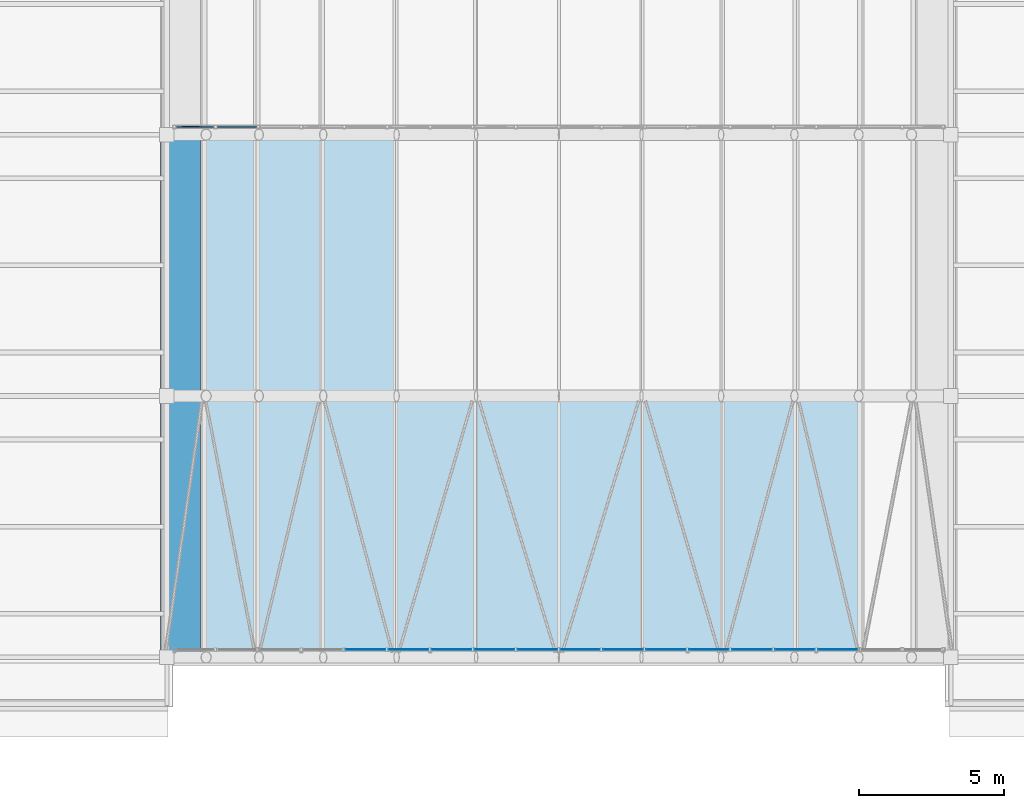
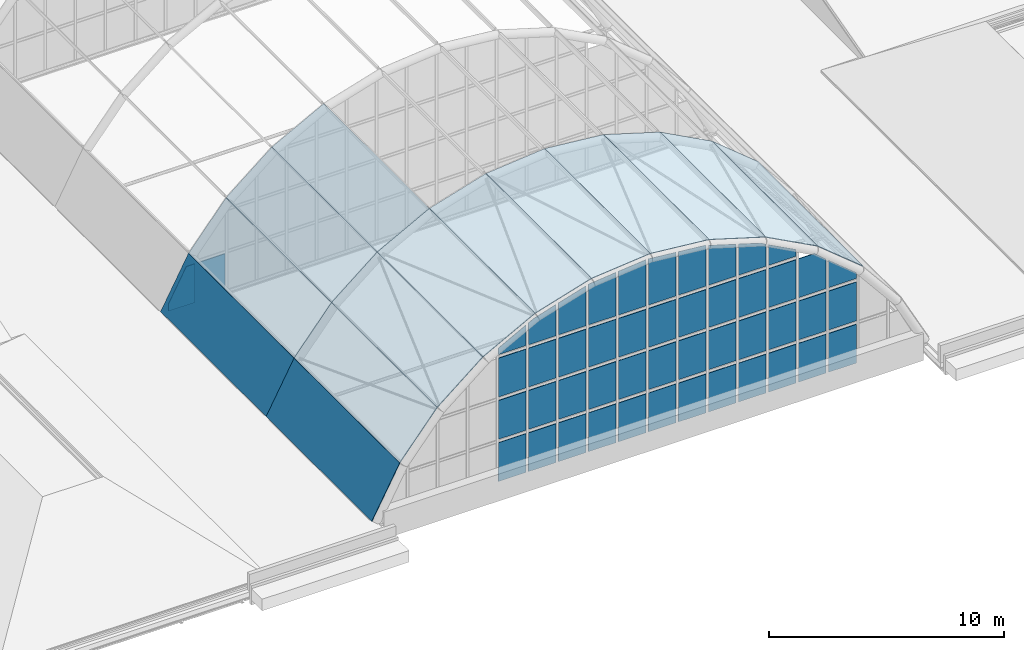
# One storey, part 75 of 121: 62 plates, 2 elements without a shape of their own.
"""IFC4 building model written with IfcOpenShell, lengths in metres."""

from ifc_helpers import new_model, si_unit, direction, frame, origin, place, context, subcontext, project, spatial, polyline, outline, extrude, material, layer, layer_set, type_object, element, aggregate, save


model = new_model("IFC4")

# Units and contexts
model_context = context("Model", 3, precision=1e-05, world=origin(), true_north=direction((0.0, 1.0)))
body_context = subcontext(model_context, "Body", "Model", "MODEL_VIEW")
ifc_project = project(units=[si_unit("LENGTHUNIT", "METRE"), si_unit("AREAUNIT", "SQUARE_METRE"), si_unit("VOLUMEUNIT", "CUBIC_METRE"), si_unit("PLANEANGLEUNIT", "RADIAN"), si_unit("MASSUNIT", "GRAM", prefix="KILO")], contexts=[model_context])

# Site, building, storey
site_placement = place(None, origin())
site = spatial("IfcSite", under=ifc_project, at=site_placement, CompositionType="ELEMENT")
building_placement = place(site_placement, origin())
building = spatial("IfcBuilding", under=site, at=building_placement, Name="Golden Quay Civic Hall", CompositionType="ELEMENT")
storey_placement = place(building_placement, frame((0.0, 0.0, 18.60009765625)))
storey = spatial("IfcBuildingStorey", under=building, at=storey_placement, Name="L04", CompositionType="ELEMENT", Elevation=18.60009765625)

# Curtain wall, plates
ifc_material_1 = material(Name="Fire-resisting glass and steel", Category="steel")
curtain_wall_type_1 = type_object("IfcCurtainWallType", Name="Fire-resisting glazed curtain wall EI 120", PredefinedType="NOTDEFINED", material=ifc_material_1)
curtain_wall_1_placement = place(storey_placement, origin())
curtain_wall_1 = element("IfcCurtainWall", 1, at=curtain_wall_1_placement, inside=storey, type_object=curtain_wall_type_1, Name="Curtain wall tympanum fire1", PredefinedType="NOTDEFINED")
ifc_material_2 = material(Name="Fire-resisting laminated glass", Category="glass")
ifc_layer_1 = layer(ifc_material_2, 0.0400390625)
ifc_layer_set_1 = layer_set([ifc_layer_1], Name="Fire-resisting glazed panel 40")
plate_type_1 = type_object("IfcPlateType", Name="Fire-resisting glazed panel 40", PredefinedType="CURTAIN_PANEL", material=ifc_layer_set_1)
plate_1_placement = place(storey_placement, frame((73.61767578125, 18.2900390625, -0.130126953125), z_axis=(0.0, 1.0, 0.0), x_axis=(-1.0, 0.0, 0.0)))
plate_1 = element("IfcPlate", 2, at=plate_1_placement, type_object=plate_type_1, Name="Tympanum glass 1.1", PredefinedType="CURTAIN_PANEL", context=body_context, shape_type="SweptSolid", body=[
    extrude(outline(polyline([(0.0, 0.0), (1.297607421875, 0.0), (1.297607421875, 0.37646484375), (0.4150390625, 2.02001953125), (0.0, 2.02001953125), (0.0, 0.0)])), origin(), (0.0, 0.0, -1.0), 0.0400390625),
])
plate_2_placement = place(storey_placement, frame((75.095458984375, 18.2900390625, -0.130126953125), z_axis=(0.0, 1.0, 0.0), x_axis=(-1.0, 0.0, 0.0)))
plate_2 = element("IfcPlate", 3, at=plate_2_placement, type_object=plate_type_1, Name="Tympanum glass 2.1", PredefinedType="CURTAIN_PANEL", context=body_context, shape_type="SweptSolid", body=[
    extrude(outline(polyline([(0.0, 0.0), (1.357666015625, 0.0), (1.357666015625, 2.02001953125), (0.0, 2.02001953125), (0.0, 0.0)])), origin(), (0.0, 0.0, -1.0), 0.0400390625),
])
aggregate(curtain_wall_1, [plate_1, plate_2])

ifc_material_3 = material(Name="Glass and aluminium", Category="aluminium")
curtain_wall_type_2 = type_object("IfcCurtainWallType", Name="Glazed curtain wall 1500 module", PredefinedType="NOTDEFINED", material=ifc_material_3)
curtain_wall_2_placement = place(storey_placement, origin())
curtain_wall_2 = element("IfcCurtainWall", 4, at=curtain_wall_2_placement, inside=storey, type_object=curtain_wall_type_2, Name="Curtain wall tympanum south", PredefinedType="NOTDEFINED")
ifc_material_4 = material(Name="Laminated glass", Category="glass")
ifc_layer_2 = layer(ifc_material_4, 0.028076171875)
ifc_layer_set_2 = layer_set([ifc_layer_2], Name="Laminated glass panel 28")
plate_type_2 = type_object("IfcPlateType", Name="Laminated glass panel 28", PredefinedType="CURTAIN_PANEL", material=ifc_layer_set_2)
plate_3_placement = place(storey_placement, frame((79.52880859375, 0.283935546875, -0.130126953125), z_axis=(0.0, 1.0, 0.0), x_axis=(-1.0, 0.0, 0.0)))
plate_3 = element("IfcPlate", 5, at=plate_3_placement, type_object=plate_type_2, Name="Tympanum glass 5.1", PredefinedType="CURTAIN_PANEL", context=body_context, shape_type="SweptSolid", body=[
    extrude(outline(polyline([(0.0, 0.0), (1.357666015625, 0.0), (1.357666015625, 2.02001953125), (0.0, 2.02001953125), (0.0, 0.0)])), origin(), (0.0, 0.0, -1.0), 0.028076171875),
])
plate_4_placement = place(storey_placement, frame((79.52880859375, 0.283935546875, 2.06982421875), z_axis=(0.0, 1.0, 0.0), x_axis=(-1.0, 0.0, 0.0)))
plate_4 = element("IfcPlate", 6, at=plate_4_placement, type_object=plate_type_2, Name="Tympanum glass 5.2", PredefinedType="CURTAIN_PANEL", context=body_context, shape_type="SweptSolid", body=[
    extrude(outline(polyline([(0.0, 0.0), (1.357666015625, 0.0), (1.357666015625, 2.02001953125), (0.0, 2.02001953125), (0.0, 0.0)])), origin(), (0.0, 0.0, -1.0), 0.028076171875),
])
plate_5_placement = place(storey_placement, frame((79.52880859375, 0.283935546875, 4.27001953125), z_axis=(0.0, 1.0, 0.0), x_axis=(-1.0, 0.0, 0.0)))
plate_5 = element("IfcPlate", 7, at=plate_5_placement, type_object=plate_type_2, Name="Tympanum glass 5.3", PredefinedType="CURTAIN_PANEL", context=body_context, shape_type="SweptSolid", body=[
    extrude(outline(polyline([(0.0, 0.0), (1.357666015625, 0.0), (1.357666015625, 2.019775390625), (0.0, 2.019775390625), (0.0, 0.0)])), origin(), (0.0, 0.0, -1.0), 0.028076171875),
])
plate_6_placement = place(storey_placement, frame((79.52880859375, 0.283935546875, 6.469970703125), z_axis=(0.0, 1.0, 0.0), x_axis=(-1.0, 0.0, 0.0)))
plate_6 = element("IfcPlate", 8, at=plate_6_placement, type_object=plate_type_2, Name="Tympanum glass 5.4", PredefinedType="CURTAIN_PANEL", context=body_context, shape_type="SweptSolid", body=[
    extrude(outline(polyline([(0.0, 0.0), (1.357666015625, 0.0), (1.357666015625, 0.34130859375), (0.0, 1.065673828125), (0.0, 0.0)])), origin(), (0.0, 0.0, -1.0), 0.028076171875),
])
plate_7_placement = place(storey_placement, frame((81.006591796875, 0.283935546875, -0.130126953125), z_axis=(0.0, 1.0, 0.0), x_axis=(-1.0, 0.0, 0.0)))
plate_7 = element("IfcPlate", 9, at=plate_7_placement, type_object=plate_type_2, Name="Tympanum glass 6.1", PredefinedType="CURTAIN_PANEL", context=body_context, shape_type="SweptSolid", body=[
    extrude(outline(polyline([(0.0, 0.0), (1.357666015625, 0.0), (1.357666015625, 2.02001953125), (0.0, 2.02001953125), (0.0, 0.0)])), origin(), (0.0, 0.0, -1.0), 0.028076171875),
])
plate_8_placement = place(storey_placement, frame((81.006591796875, 0.283935546875, 2.06982421875), z_axis=(0.0, 1.0, 0.0), x_axis=(-1.0, 0.0, 0.0)))
plate_8 = element("IfcPlate", 10, at=plate_8_placement, type_object=plate_type_2, Name="Tympanum glass 6.2", PredefinedType="CURTAIN_PANEL", context=body_context, shape_type="SweptSolid", body=[
    extrude(outline(polyline([(0.0, 0.0), (1.357666015625, 0.0), (1.357666015625, 2.02001953125), (0.0, 2.02001953125), (0.0, 0.0)])), origin(), (0.0, 0.0, -1.0), 0.028076171875),
])
plate_9_placement = place(storey_placement, frame((81.006591796875, 0.283935546875, 4.27001953125), z_axis=(0.0, 1.0, 0.0), x_axis=(-1.0, 0.0, 0.0)))
plate_9 = element("IfcPlate", 11, at=plate_9_placement, type_object=plate_type_2, Name="Tympanum glass 6.3", PredefinedType="CURTAIN_PANEL", context=body_context, shape_type="SweptSolid", body=[
    extrude(outline(polyline([(0.0, 0.0), (1.357666015625, 0.0), (1.357666015625, 2.019775390625), (0.0, 2.019775390625), (0.0, 0.0)])), origin(), (0.0, 0.0, -1.0), 0.028076171875),
])
plate_10_placement = place(storey_placement, frame((81.006591796875, 0.283935546875, 6.469970703125), z_axis=(0.0, 1.0, 0.0), x_axis=(-1.0, 0.0, 0.0)))
plate_10 = element("IfcPlate", 12, at=plate_10_placement, type_object=plate_type_2, Name="Tympanum glass 6.4", PredefinedType="CURTAIN_PANEL", context=body_context, shape_type="SweptSolid", body=[
    extrude(outline(polyline([(0.0, 0.0), (1.357666015625, 0.0), (1.357666015625, 1.129638671875), (1.093994140625, 1.270263671875), (0.0, 1.619384765625), (0.0, 0.0)])), origin(), (0.0, 0.0, -1.0), 0.028076171875),
])
plate_11_placement = place(storey_placement, frame((82.484375, 0.283935546875, -0.130126953125), z_axis=(0.0, 1.0, 0.0), x_axis=(-1.0, 0.0, 0.0)))
plate_11 = element("IfcPlate", 13, at=plate_11_placement, type_object=plate_type_2, Name="Tympanum glass 7.1", PredefinedType="CURTAIN_PANEL", context=body_context, shape_type="SweptSolid", body=[
    extrude(outline(polyline([(0.0, 0.0), (1.357666015625, 0.0), (1.357666015625, 2.02001953125), (0.0, 2.02001953125), (0.0, 0.0)])), origin(), (0.0, 0.0, -1.0), 0.028076171875),
])
plate_12_placement = place(storey_placement, frame((82.484375, 0.283935546875, 2.06982421875), z_axis=(0.0, 1.0, 0.0), x_axis=(-1.0, 0.0, 0.0)))
plate_12 = element("IfcPlate", 14, at=plate_12_placement, type_object=plate_type_2, Name="Tympanum glass 7.2", PredefinedType="CURTAIN_PANEL", context=body_context, shape_type="SweptSolid", body=[
    extrude(outline(polyline([(0.0, 0.0), (1.357666015625, 0.0), (1.357666015625, 2.02001953125), (0.0, 2.02001953125), (0.0, 0.0)])), origin(), (0.0, 0.0, -1.0), 0.028076171875),
])
plate_13_placement = place(storey_placement, frame((82.484375, 0.283935546875, 4.27001953125), z_axis=(0.0, 1.0, 0.0), x_axis=(-1.0, 0.0, 0.0)))
plate_13 = element("IfcPlate", 15, at=plate_13_placement, type_object=plate_type_2, Name="Tympanum glass 7.3", PredefinedType="CURTAIN_PANEL", context=body_context, shape_type="SweptSolid", body=[
    extrude(outline(polyline([(0.0, 0.0), (1.357666015625, 0.0), (1.357666015625, 2.019775390625), (0.0, 2.019775390625), (0.0, 0.0)])), origin(), (0.0, 0.0, -1.0), 0.028076171875),
])
plate_14_placement = place(storey_placement, frame((82.484375, 0.283935546875, 6.469970703125), z_axis=(0.0, 1.0, 0.0), x_axis=(-1.0, 0.0, 0.0)))
plate_14 = element("IfcPlate", 16, at=plate_14_placement, type_object=plate_type_2, Name="Tympanum glass 7.4", PredefinedType="CURTAIN_PANEL", context=body_context, shape_type="SweptSolid", body=[
    extrude(outline(polyline([(0.0, 0.0), (1.357666015625, 0.0), (1.357666015625, 1.65576171875), (0.0, 2.06689453125), (0.0, 0.0)])), origin(), (0.0, 0.0, -1.0), 0.028076171875),
])
plate_15_placement = place(storey_placement, frame((83.962158203125, 0.283935546875, -0.130126953125), z_axis=(0.0, 1.0, 0.0), x_axis=(-1.0, 0.0, 0.0)))
plate_15 = element("IfcPlate", 17, at=plate_15_placement, type_object=plate_type_2, Name="Tympanum glass 8.1", PredefinedType="CURTAIN_PANEL", context=body_context, shape_type="SweptSolid", body=[
    extrude(outline(polyline([(0.0, 0.0), (1.357666015625, 0.0), (1.357666015625, 2.02001953125), (0.0, 2.02001953125), (0.0, 0.0)])), origin(), (0.0, 0.0, -1.0), 0.028076171875),
])
plate_16_placement = place(storey_placement, frame((83.962158203125, 0.283935546875, 2.06982421875), z_axis=(0.0, 1.0, 0.0), x_axis=(-1.0, 0.0, 0.0)))
plate_16 = element("IfcPlate", 18, at=plate_16_placement, type_object=plate_type_2, Name="Tympanum glass 8.2", PredefinedType="CURTAIN_PANEL", context=body_context, shape_type="SweptSolid", body=[
    extrude(outline(polyline([(0.0, 0.0), (1.357666015625, 0.0), (1.357666015625, 2.02001953125), (0.0, 2.02001953125), (0.0, 0.0)])), origin(), (0.0, 0.0, -1.0), 0.028076171875),
])
plate_17_placement = place(storey_placement, frame((83.962158203125, 0.283935546875, 4.27001953125), z_axis=(0.0, 1.0, 0.0), x_axis=(-1.0, 0.0, 0.0)))
plate_17 = element("IfcPlate", 19, at=plate_17_placement, type_object=plate_type_2, Name="Tympanum glass 8.3", PredefinedType="CURTAIN_PANEL", context=body_context, shape_type="SweptSolid", body=[
    extrude(outline(polyline([(0.0, 0.0), (1.357666015625, 0.0), (1.357666015625, 2.019775390625), (0.0, 2.019775390625), (0.0, 0.0)])), origin(), (0.0, 0.0, -1.0), 0.028076171875),
])
plate_18_placement = place(storey_placement, frame((83.962158203125, 0.283935546875, 6.469970703125), z_axis=(0.0, 1.0, 0.0), x_axis=(-1.0, 0.0, 0.0)))
plate_18 = element("IfcPlate", 20, at=plate_18_placement, type_object=plate_type_2, Name="Tympanum glass 8.4", PredefinedType="CURTAIN_PANEL", context=body_context, shape_type="SweptSolid", body=[
    extrude(outline(polyline([(0.0, 0.0), (1.357666015625, 0.0), (1.357666015625, 2.103271484375), (1.310302734375, 2.11767578125), (0.0, 2.254638671875), (0.0, 0.0)])), origin(), (0.0, 0.0, -1.0), 0.028076171875),
])
plate_19_placement = place(storey_placement, frame((85.43994140625, 0.283935546875, -0.130126953125), z_axis=(0.0, 1.0, 0.0), x_axis=(-1.0, 0.0, 0.0)))
plate_19 = element("IfcPlate", 21, at=plate_19_placement, type_object=plate_type_2, Name="Tympanum glass 9.1", PredefinedType="CURTAIN_PANEL", context=body_context, shape_type="SweptSolid", body=[
    extrude(outline(polyline([(0.0, 0.0), (1.357666015625, 0.0), (1.357666015625, 2.02001953125), (0.0, 2.02001953125), (0.0, 0.0)])), origin(), (0.0, 0.0, -1.0), 0.028076171875),
])
plate_20_placement = place(storey_placement, frame((85.43994140625, 0.283935546875, 2.06982421875), z_axis=(0.0, 1.0, 0.0), x_axis=(-1.0, 0.0, 0.0)))
plate_20 = element("IfcPlate", 22, at=plate_20_placement, type_object=plate_type_2, Name="Tympanum glass 9.2", PredefinedType="CURTAIN_PANEL", context=body_context, shape_type="SweptSolid", body=[
    extrude(outline(polyline([(0.0, 0.0), (1.357666015625, 0.0), (1.357666015625, 2.02001953125), (0.0, 2.02001953125), (0.0, 0.0)])), origin(), (0.0, 0.0, -1.0), 0.028076171875),
])
plate_21_placement = place(storey_placement, frame((85.43994140625, 0.283935546875, 4.27001953125), z_axis=(0.0, 1.0, 0.0), x_axis=(-1.0, 0.0, 0.0)))
plate_21 = element("IfcPlate", 23, at=plate_21_placement, type_object=plate_type_2, Name="Tympanum glass 9.3", PredefinedType="CURTAIN_PANEL", context=body_context, shape_type="SweptSolid", body=[
    extrude(outline(polyline([(0.0, 0.0), (1.357666015625, 0.0), (1.357666015625, 2.019775390625), (0.0, 2.019775390625), (0.0, 0.0)])), origin(), (0.0, 0.0, -1.0), 0.028076171875),
])
plate_22_placement = place(storey_placement, frame((85.43994140625, 0.283935546875, 6.469970703125), z_axis=(0.0, 1.0, 0.0), x_axis=(-1.0, 0.0, 0.0)))
plate_22 = element("IfcPlate", 24, at=plate_22_placement, type_object=plate_type_2, Name="Tympanum glass 9.4", PredefinedType="CURTAIN_PANEL", context=body_context, shape_type="SweptSolid", body=[
    extrude(outline(polyline([(0.0, 0.0), (1.357666015625, 0.0), (1.357666015625, 2.266357421875), (0.0, 2.39990234375), (0.0, 0.0)])), origin(), (0.0, 0.0, -1.0), 0.028076171875),
])
plate_23_placement = place(storey_placement, frame((86.917724609375, 0.283935546875, -0.130126953125), z_axis=(0.0, 1.0, 0.0), x_axis=(-1.0, 0.0, 0.0)))
plate_23 = element("IfcPlate", 25, at=plate_23_placement, type_object=plate_type_2, Name="Tympanum glass 10.1", PredefinedType="CURTAIN_PANEL", context=body_context, shape_type="SweptSolid", body=[
    extrude(outline(polyline([(0.0, 0.0), (1.357666015625, 0.0), (1.357666015625, 2.02001953125), (0.0, 2.02001953125), (0.0, 0.0)])), origin(), (0.0, 0.0, -1.0), 0.028076171875),
])
plate_24_placement = place(storey_placement, frame((86.917724609375, 0.283935546875, 2.06982421875), z_axis=(0.0, 1.0, 0.0), x_axis=(-1.0, 0.0, 0.0)))
plate_24 = element("IfcPlate", 26, at=plate_24_placement, type_object=plate_type_2, Name="Tympanum glass 10.2", PredefinedType="CURTAIN_PANEL", context=body_context, shape_type="SweptSolid", body=[
    extrude(outline(polyline([(0.0, 0.0), (1.357666015625, 0.0), (1.357666015625, 2.02001953125), (0.0, 2.02001953125), (0.0, 0.0)])), origin(), (0.0, 0.0, -1.0), 0.028076171875),
])
plate_25_placement = place(storey_placement, frame((86.917724609375, 0.283935546875, 4.27001953125), z_axis=(0.0, 1.0, 0.0), x_axis=(-1.0, 0.0, 0.0)))
plate_25 = element("IfcPlate", 27, at=plate_25_placement, type_object=plate_type_2, Name="Tympanum glass 10.3", PredefinedType="CURTAIN_PANEL", context=body_context, shape_type="SweptSolid", body=[
    extrude(outline(polyline([(0.0, 0.0), (1.357666015625, 0.0), (1.357666015625, 2.019775390625), (0.0, 2.019775390625), (0.0, 0.0)])), origin(), (0.0, 0.0, -1.0), 0.028076171875),
])
plate_26_placement = place(storey_placement, frame((86.917724609375, 0.283935546875, 6.469970703125), z_axis=(0.0, 1.0, 0.0), x_axis=(-1.0, 0.0, 0.0)))
plate_26 = element("IfcPlate", 28, at=plate_26_placement, type_object=plate_type_2, Name="Tympanum glass 10.4", PredefinedType="CURTAIN_PANEL", context=body_context, shape_type="SweptSolid", body=[
    extrude(outline(polyline([(0.0, 0.0), (1.357666015625, 0.0), (1.357666015625, 2.39990234375), (0.0, 2.266357421875), (0.0, 0.0)])), origin(), (0.0, 0.0, -1.0), 0.028076171875),
])
plate_27_placement = place(storey_placement, frame((88.3955078125, 0.283935546875, -0.130126953125), z_axis=(0.0, 1.0, 0.0), x_axis=(-1.0, 0.0, 0.0)))
plate_27 = element("IfcPlate", 29, at=plate_27_placement, type_object=plate_type_2, Name="Tympanum glass 11.1", PredefinedType="CURTAIN_PANEL", context=body_context, shape_type="SweptSolid", body=[
    extrude(outline(polyline([(0.0, 0.0), (1.357666015625, 0.0), (1.357666015625, 2.02001953125), (0.0, 2.02001953125), (0.0, 0.0)])), origin(), (0.0, 0.0, -1.0), 0.028076171875),
])
plate_28_placement = place(storey_placement, frame((88.3955078125, 0.283935546875, 2.06982421875), z_axis=(0.0, 1.0, 0.0), x_axis=(-1.0, 0.0, 0.0)))
plate_28 = element("IfcPlate", 30, at=plate_28_placement, type_object=plate_type_2, Name="Tympanum glass 11.2", PredefinedType="CURTAIN_PANEL", context=body_context, shape_type="SweptSolid", body=[
    extrude(outline(polyline([(0.0, 0.0), (1.357666015625, 0.0), (1.357666015625, 2.02001953125), (0.0, 2.02001953125), (0.0, 0.0)])), origin(), (0.0, 0.0, -1.0), 0.028076171875),
])
plate_29_placement = place(storey_placement, frame((88.3955078125, 0.283935546875, 4.27001953125), z_axis=(0.0, 1.0, 0.0), x_axis=(-1.0, 0.0, 0.0)))
plate_29 = element("IfcPlate", 31, at=plate_29_placement, type_object=plate_type_2, Name="Tympanum glass 11.3", PredefinedType="CURTAIN_PANEL", context=body_context, shape_type="SweptSolid", body=[
    extrude(outline(polyline([(0.0, 0.0), (1.357666015625, 0.0), (1.357666015625, 2.019775390625), (0.0, 2.019775390625), (0.0, 0.0)])), origin(), (0.0, 0.0, -1.0), 0.028076171875),
])
plate_30_placement = place(storey_placement, frame((88.3955078125, 0.283935546875, 6.469970703125), z_axis=(0.0, 1.0, 0.0), x_axis=(-1.0, 0.0, 0.0)))
plate_30 = element("IfcPlate", 32, at=plate_30_placement, type_object=plate_type_2, Name="Tympanum glass 11.4", PredefinedType="CURTAIN_PANEL", context=body_context, shape_type="SweptSolid", body=[
    extrude(outline(polyline([(0.0, 0.0), (1.357666015625, 0.0), (1.357666015625, 2.254638671875), (0.04736328125, 2.125732421875), (0.0, 2.103271484375), (0.0, 0.0)])), origin(), (0.0, 0.0, -1.0), 0.028076171875),
])
plate_31_placement = place(storey_placement, frame((89.873291015625, 0.283935546875, -0.130126953125), z_axis=(0.0, 1.0, 0.0), x_axis=(-1.0, 0.0, 0.0)))
plate_31 = element("IfcPlate", 33, at=plate_31_placement, type_object=plate_type_2, Name="Tympanum glass 12.1", PredefinedType="CURTAIN_PANEL", context=body_context, shape_type="SweptSolid", body=[
    extrude(outline(polyline([(0.0, 0.0), (1.357666015625, 0.0), (1.357666015625, 2.02001953125), (0.0, 2.02001953125), (0.0, 0.0)])), origin(), (0.0, 0.0, -1.0), 0.028076171875),
])
plate_32_placement = place(storey_placement, frame((89.873291015625, 0.283935546875, 2.06982421875), z_axis=(0.0, 1.0, 0.0), x_axis=(-1.0, 0.0, 0.0)))
plate_32 = element("IfcPlate", 34, at=plate_32_placement, type_object=plate_type_2, Name="Tympanum glass 12.2", PredefinedType="CURTAIN_PANEL", context=body_context, shape_type="SweptSolid", body=[
    extrude(outline(polyline([(0.0, 0.0), (1.357666015625, 0.0), (1.357666015625, 2.02001953125), (0.0, 2.02001953125), (0.0, 0.0)])), origin(), (0.0, 0.0, -1.0), 0.028076171875),
])
plate_33_placement = place(storey_placement, frame((89.873291015625, 0.283935546875, 4.27001953125), z_axis=(0.0, 1.0, 0.0), x_axis=(-1.0, 0.0, 0.0)))
plate_33 = element("IfcPlate", 35, at=plate_33_placement, type_object=plate_type_2, Name="Tympanum glass 12.3", PredefinedType="CURTAIN_PANEL", context=body_context, shape_type="SweptSolid", body=[
    extrude(outline(polyline([(0.0, 0.0), (1.357666015625, 0.0), (1.357666015625, 2.019775390625), (0.0, 2.019775390625), (0.0, 0.0)])), origin(), (0.0, 0.0, -1.0), 0.028076171875),
])
plate_34_placement = place(storey_placement, frame((89.873291015625, 0.283935546875, 6.469970703125), z_axis=(0.0, 1.0, 0.0), x_axis=(-1.0, 0.0, 0.0)))
plate_34 = element("IfcPlate", 36, at=plate_34_placement, type_object=plate_type_2, Name="Tympanum glass 12.4", PredefinedType="CURTAIN_PANEL", context=body_context, shape_type="SweptSolid", body=[
    extrude(outline(polyline([(0.0, 0.0), (1.357666015625, 0.0), (1.357666015625, 2.06689453125), (0.0, 1.65576171875), (0.0, 0.0)])), origin(), (0.0, 0.0, -1.0), 0.028076171875),
])
plate_35_placement = place(storey_placement, frame((91.35107421875, 0.283935546875, -0.130126953125), z_axis=(0.0, 1.0, 0.0), x_axis=(-1.0, 0.0, 0.0)))
plate_35 = element("IfcPlate", 37, at=plate_35_placement, type_object=plate_type_2, Name="Tympanum glass 13.1", PredefinedType="CURTAIN_PANEL", context=body_context, shape_type="SweptSolid", body=[
    extrude(outline(polyline([(0.0, 0.0), (1.357666015625, 0.0), (1.357666015625, 2.02001953125), (0.0, 2.02001953125), (0.0, 0.0)])), origin(), (0.0, 0.0, -1.0), 0.028076171875),
])
plate_36_placement = place(storey_placement, frame((91.35107421875, 0.283935546875, 2.06982421875), z_axis=(0.0, 1.0, 0.0), x_axis=(-1.0, 0.0, 0.0)))
plate_36 = element("IfcPlate", 38, at=plate_36_placement, type_object=plate_type_2, Name="Tympanum glass 13.2", PredefinedType="CURTAIN_PANEL", context=body_context, shape_type="SweptSolid", body=[
    extrude(outline(polyline([(0.0, 0.0), (1.357666015625, 0.0), (1.357666015625, 2.02001953125), (0.0, 2.02001953125), (0.0, 0.0)])), origin(), (0.0, 0.0, -1.0), 0.028076171875),
])
plate_37_placement = place(storey_placement, frame((91.35107421875, 0.283935546875, 4.27001953125), z_axis=(0.0, 1.0, 0.0), x_axis=(-1.0, 0.0, 0.0)))
plate_37 = element("IfcPlate", 39, at=plate_37_placement, type_object=plate_type_2, Name="Tympanum glass 13.3", PredefinedType="CURTAIN_PANEL", context=body_context, shape_type="SweptSolid", body=[
    extrude(outline(polyline([(0.0, 0.0), (1.357666015625, 0.0), (1.357666015625, 2.019775390625), (0.0, 2.019775390625), (0.0, 0.0)])), origin(), (0.0, 0.0, -1.0), 0.028076171875),
])
plate_38_placement = place(storey_placement, frame((91.35107421875, 0.283935546875, 6.469970703125), z_axis=(0.0, 1.0, 0.0), x_axis=(-1.0, 0.0, 0.0)))
plate_38 = element("IfcPlate", 40, at=plate_38_placement, type_object=plate_type_2, Name="Tympanum glass 13.4", PredefinedType="CURTAIN_PANEL", context=body_context, shape_type="SweptSolid", body=[
    extrude(outline(polyline([(0.0, 0.0), (1.357666015625, 0.0), (1.357666015625, 1.619384765625), (0.263671875, 1.288330078125), (0.0, 1.129638671875), (0.0, 0.0)])), origin(), (0.0, 0.0, -1.0), 0.028076171875),
])
plate_39_placement = place(storey_placement, frame((92.828857421875, 0.283935546875, -0.130126953125), z_axis=(0.0, 1.0, 0.0), x_axis=(-1.0, 0.0, 0.0)))
plate_39 = element("IfcPlate", 41, at=plate_39_placement, type_object=plate_type_2, Name="Tympanum glass 14.1", PredefinedType="CURTAIN_PANEL", context=body_context, shape_type="SweptSolid", body=[
    extrude(outline(polyline([(0.0, 0.0), (1.357666015625, 0.0), (1.357666015625, 2.02001953125), (0.0, 2.02001953125), (0.0, 0.0)])), origin(), (0.0, 0.0, -1.0), 0.028076171875),
])
plate_40_placement = place(storey_placement, frame((92.828857421875, 0.283935546875, 2.06982421875), z_axis=(0.0, 1.0, 0.0), x_axis=(-1.0, 0.0, 0.0)))
plate_40 = element("IfcPlate", 42, at=plate_40_placement, type_object=plate_type_2, Name="Tympanum glass 14.2", PredefinedType="CURTAIN_PANEL", context=body_context, shape_type="SweptSolid", body=[
    extrude(outline(polyline([(0.0, 0.0), (1.357666015625, 0.0), (1.357666015625, 2.02001953125), (0.0, 2.02001953125), (0.0, 0.0)])), origin(), (0.0, 0.0, -1.0), 0.028076171875),
])
plate_41_placement = place(storey_placement, frame((92.828857421875, 0.283935546875, 4.27001953125), z_axis=(0.0, 1.0, 0.0), x_axis=(-1.0, 0.0, 0.0)))
plate_41 = element("IfcPlate", 43, at=plate_41_placement, type_object=plate_type_2, Name="Tympanum glass 14.3", PredefinedType="CURTAIN_PANEL", context=body_context, shape_type="SweptSolid", body=[
    extrude(outline(polyline([(0.0, 0.0), (1.357666015625, 0.0), (1.357666015625, 2.019775390625), (0.0, 2.019775390625), (0.0, 0.0)])), origin(), (0.0, 0.0, -1.0), 0.028076171875),
])
plate_42_placement = place(storey_placement, frame((92.828857421875, 0.283935546875, 6.469970703125), z_axis=(0.0, 1.0, 0.0), x_axis=(-1.0, 0.0, 0.0)))
plate_42 = element("IfcPlate", 44, at=plate_42_placement, type_object=plate_type_2, Name="Tympanum glass 14.4", PredefinedType="CURTAIN_PANEL", context=body_context, shape_type="SweptSolid", body=[
    extrude(outline(polyline([(0.0, 0.0), (1.357666015625, 0.0), (1.357666015625, 1.065673828125), (0.0, 0.34130859375), (0.0, 0.0)])), origin(), (0.0, 0.0, -1.0), 0.028076171875),
])
plate_43_placement = place(storey_placement, frame((94.306640625, 0.283935546875, -0.130126953125), z_axis=(0.0, 1.0, 0.0), x_axis=(-1.0, 0.0, 0.0)))
plate_43 = element("IfcPlate", 45, at=plate_43_placement, type_object=plate_type_2, Name="Tympanum glass 15.1", PredefinedType="CURTAIN_PANEL", context=body_context, shape_type="SweptSolid", body=[
    extrude(outline(polyline([(0.0, 0.0), (1.357666015625, 0.0), (1.357666015625, 2.02001953125), (0.0, 2.02001953125), (0.0, 0.0)])), origin(), (0.0, 0.0, -1.0), 0.028076171875),
])
plate_44_placement = place(storey_placement, frame((94.306640625, 0.283935546875, 2.06982421875), z_axis=(0.0, 1.0, 0.0), x_axis=(-1.0, 0.0, 0.0)))
plate_44 = element("IfcPlate", 46, at=plate_44_placement, type_object=plate_type_2, Name="Tympanum glass 15.2", PredefinedType="CURTAIN_PANEL", context=body_context, shape_type="SweptSolid", body=[
    extrude(outline(polyline([(0.0, 0.0), (1.357666015625, 0.0), (1.357666015625, 2.02001953125), (0.0, 2.02001953125), (0.0, 0.0)])), origin(), (0.0, 0.0, -1.0), 0.028076171875),
])
plate_45_placement = place(storey_placement, frame((94.306640625, 0.283935546875, 4.27001953125), z_axis=(0.0, 1.0, 0.0), x_axis=(-1.0, 0.0, 0.0)))
plate_45 = element("IfcPlate", 47, at=plate_45_placement, type_object=plate_type_2, Name="Tympanum glass 15.3", PredefinedType="CURTAIN_PANEL", context=body_context, shape_type="SweptSolid", body=[
    extrude(outline(polyline([(0.0, 0.0), (1.357666015625, 0.0), (1.357666015625, 2.019775390625), (0.57470703125, 2.019775390625), (0.0, 1.522705078125), (0.0, 0.0)])), origin(), (0.0, 0.0, -1.0), 0.028076171875),
])
plate_46_placement = place(storey_placement, frame((95.784423828125, 0.283935546875, -0.130126953125), z_axis=(0.0, 1.0, 0.0), x_axis=(-1.0, 0.0, 0.0)))
plate_46 = element("IfcPlate", 48, at=plate_46_placement, type_object=plate_type_2, Name="Tympanum glass 16.1", PredefinedType="CURTAIN_PANEL", context=body_context, shape_type="SweptSolid", body=[
    extrude(outline(polyline([(0.0, 0.0), (1.357666015625, 0.0), (1.357666015625, 2.02001953125), (0.0, 2.02001953125), (0.0, 0.0)])), origin(), (0.0, 0.0, -1.0), 0.028076171875),
])
plate_47_placement = place(storey_placement, frame((95.784423828125, 0.283935546875, 2.06982421875), z_axis=(0.0, 1.0, 0.0), x_axis=(-1.0, 0.0, 0.0)))
plate_47 = element("IfcPlate", 49, at=plate_47_placement, type_object=plate_type_2, Name="Tympanum glass 16.2", PredefinedType="CURTAIN_PANEL", context=body_context, shape_type="SweptSolid", body=[
    extrude(outline(polyline([(0.0, 0.0), (1.357666015625, 0.0), (1.357666015625, 2.02001953125), (0.0, 2.02001953125), (0.0, 0.0)])), origin(), (0.0, 0.0, -1.0), 0.028076171875),
])
plate_48_placement = place(storey_placement, frame((95.784423828125, 0.283935546875, 4.27001953125), z_axis=(0.0, 1.0, 0.0), x_axis=(-1.0, 0.0, 0.0)))
plate_48 = element("IfcPlate", 50, at=plate_48_placement, type_object=plate_type_2, Name="Tympanum glass 16.3", PredefinedType="CURTAIN_PANEL", context=body_context, shape_type="SweptSolid", body=[
    extrude(outline(polyline([(0.0, 0.0), (1.357666015625, 0.0), (1.357666015625, 1.424560546875), (0.0, 0.31298828125), (0.0, 0.0)])), origin(), (0.0, 0.0, -1.0), 0.028076171875),
])
aggregate(curtain_wall_2, [plate_3, plate_4, plate_5, plate_6, plate_7, plate_8, plate_9, plate_10, plate_11, plate_12, plate_13, plate_14, plate_15, plate_16, plate_17, plate_18, plate_19, plate_20, plate_21, plate_22, plate_23, plate_24, plate_25, plate_26, plate_27, plate_28, plate_29, plate_30, plate_31, plate_32, plate_33, plate_34, plate_35, plate_36, plate_37, plate_38, plate_39, plate_40, plate_41, plate_42, plate_43, plate_44, plate_45, plate_46, plate_47, plate_48])

# Plates
ifc_material_5 = material(Name="Laminated glass", Category="glass")
ifc_layer_3 = layer(ifc_material_5, 0.030029296875)
ifc_layer_set_3 = layer_set([ifc_layer_3], Name="Laminated vault glazing 30")
plate_type_3 = type_object("IfcPlateType", Name="Laminated vault glazing 30", PredefinedType="SHEET", material=ifc_layer_set_3)
plate_49_placement = place(storey_placement, frame((71.78564453125, 0.0, 0.1923828125), z_axis=(-0.881024300134, 0.0, 0.47307101219), x_axis=(0.47307101219, 0.0, 0.881024300134)))
element("IfcPlate", 51, at=plate_49_placement, inside=storey, type_object=plate_type_3, Name="Vault glazing 1.1", PredefinedType="SHEET", context=body_context, shape_type="SweptSolid", body=[
    extrude(outline(polyline([(0.0, 0.0), (2.9018956964211977, 0.0), (2.9018956964211977, 9.0), (0.0, 9.0), (0.0, 0.0)])), origin(), (0.0, 0.0, -1.0), 0.030029296875),
])
plate_50_placement = place(storey_placement, frame((73.16162109375, 0.0, 2.75390625), z_axis=(-0.7720006594, 0.0, 0.635621728614), x_axis=(0.635621728614, 0.0, 0.7720006594)))
element("IfcPlate", 52, at=plate_50_placement, inside=storey, type_object=plate_type_3, Name="Vault glazing 1.2", PredefinedType="SHEET", context=body_context, shape_type="SweptSolid", body=[
    extrude(outline(polyline([(0.0, 0.0), (2.901855520100459, 0.0), (2.901855520100459, 9.0), (0.0, 9.0), (0.0, 0.0)])), origin(), (0.0, 0.0, -1.0), 0.030029296875),
])
plate_51_placement = place(storey_placement, frame((75.01025390625, 0.0, 4.998291015625), z_axis=(-0.633448519494, 0.0, 0.77378483647), x_axis=(0.77378483647, 0.0, 0.633448519494)))
element("IfcPlate", 53, at=plate_51_placement, inside=storey, type_object=plate_type_3, Name="Vault glazing 1.3", PredefinedType="SHEET", context=body_context, shape_type="SweptSolid", body=[
    extrude(outline(polyline([(0.0, 0.0), (2.901790294014807, 0.0), (2.901790294014807, 9.0), (0.0, 9.0), (0.0, 0.0)])), origin(), (0.0, 0.0, -1.0), 0.030029296875),
])
plate_52_placement = place(storey_placement, frame((77.260498046875, 0.0, 6.839599609375), z_axis=(-0.470649370087, 0.0, 0.882320333233), x_axis=(0.882320333233, 0.0, 0.470649370087)))
element("IfcPlate", 54, at=plate_52_placement, inside=storey, type_object=plate_type_3, Name="Vault glazing 1.4", PredefinedType="SHEET", context=body_context, shape_type="SweptSolid", body=[
    extrude(outline(polyline([(0.0, 0.0), (2.901783669649179, 0.0), (2.901783669649179, 9.0), (0.0, 9.0), (0.0, 0.0)])), origin(), (0.0, 0.0, -1.0), 0.030029296875),
])
plate_53_placement = place(storey_placement, frame((79.826171875, 0.0, 8.20751953125), z_axis=(-0.289755197495, 0.0, 0.957100791727), x_axis=(0.957100791727, 0.0, 0.289755197495)))
element("IfcPlate", 55, at=plate_53_placement, inside=storey, type_object=plate_type_3, Name="Vault glazing 1.5", PredefinedType="SHEET", context=body_context, shape_type="SweptSolid", body=[
    extrude(outline(polyline([(0.0, 0.0), (2.9018299577295465, 0.0), (2.9018299577295465, 9.0), (0.0, 9.0), (0.0, 0.0)])), origin(), (0.0, 0.0, -1.0), 0.030029296875),
])
for number, where, z_axis, x_axis, name in (
    (56, (82.609130859375, 0.0, 9.049560546875), (-0.09784592374, 0.0, 0.995201575163), (0.995201575163, 0.0, 0.09784592374), "Vault glazing 1.6"),
    (57, (85.5029296875, 0.0, 9.33349609375), (0.09784592374, 0.0, 0.995201575163), (0.995201575163, 0.0, -0.09784592374), "Vault glazing 1.7"),
):
    element("IfcPlate", number, at=place(storey_placement, frame(where, z_axis=z_axis, x_axis=x_axis)), inside=storey, type_object=plate_type_3, Name=name, PredefinedType="SHEET", context=body_context, shape_type="SweptSolid", body=[
        extrude(outline(polyline([(0.0, 0.0), (2.901863828592777, 0.0), (2.901863828592777, 9.0), (0.0, 9.0), (0.0, 0.0)])), origin(), (0.0, 0.0, -1.0), 0.030029296875),
    ])
plate_54_placement = place(storey_placement, frame((88.396484375, 0.0, 9.04833984375), z_axis=(0.289755197495, 0.0, 0.957100791727), x_axis=(0.957100791727, 0.0, -0.289755197495)))
element("IfcPlate", 58, at=plate_54_placement, inside=storey, type_object=plate_type_3, Name="Vault glazing 1.8", PredefinedType="SHEET", context=body_context, shape_type="SweptSolid", body=[
    extrude(outline(polyline([(0.0, 0.0), (2.9018299577295465, 0.0), (2.9018299577295465, 9.0), (0.0, 9.0), (0.0, 0.0)])), origin(), (0.0, 0.0, -1.0), 0.030029296875),
])
plate_55_placement = place(storey_placement, frame((91.17919921875, 0.0, 8.205322265625), z_axis=(0.470649370087, 0.0, 0.882320333233), x_axis=(0.882320333233, 0.0, -0.470649370087)))
element("IfcPlate", 59, at=plate_55_placement, inside=storey, type_object=plate_type_3, Name="Vault glazing 1.9", PredefinedType="SHEET", context=body_context, shape_type="SweptSolid", body=[
    extrude(outline(polyline([(0.0, 0.0), (2.901783669649179, 0.0), (2.901783669649179, 9.0), (0.0, 9.0), (0.0, 0.0)])), origin(), (0.0, 0.0, -1.0), 0.030029296875),
])
plate_56_placement = place(storey_placement, frame((93.744384765625, 0.0, 6.83642578125), z_axis=(0.633448519494, 0.0, 0.77378483647), x_axis=(0.77378483647, 0.0, -0.633448519494)))
element("IfcPlate", 60, at=plate_56_placement, inside=storey, type_object=plate_type_3, Name="Vault glazing 1.10", PredefinedType="SHEET", context=body_context, shape_type="SweptSolid", body=[
    extrude(outline(polyline([(0.0, 0.0), (2.901790294014807, 0.0), (2.901790294014807, 9.0), (0.0, 9.0), (0.0, 0.0)])), origin(), (0.0, 0.0, -1.0), 0.030029296875),
])
plate_57_placement = place(storey_placement, frame((71.78564453125, 9.0, 0.1923828125), z_axis=(-0.881024300134, 0.0, 0.47307101219), x_axis=(0.47307101219, 0.0, 0.881024300134)))
element("IfcPlate", 61, at=plate_57_placement, inside=storey, type_object=plate_type_3, Name="Vault glazing 2.1", PredefinedType="SHEET", context=body_context, shape_type="SweptSolid", body=[
    extrude(outline(polyline([(0.0, 0.0), (2.9018956964211977, 0.0), (2.9018956964211977, 9.0), (0.0, 9.0), (0.0, 0.0)])), origin(), (0.0, 0.0, -1.0), 0.030029296875),
])
plate_58_placement = place(storey_placement, frame((73.16162109375, 9.0, 2.75390625), z_axis=(-0.7720006594, 0.0, 0.635621728614), x_axis=(0.635621728614, 0.0, 0.7720006594)))
element("IfcPlate", 62, at=plate_58_placement, inside=storey, type_object=plate_type_3, Name="Vault glazing 2.2", PredefinedType="SHEET", context=body_context, shape_type="SweptSolid", body=[
    extrude(outline(polyline([(0.0, 0.0), (2.901855520100459, 0.0), (2.901855520100459, 9.0), (0.0, 9.0), (0.0, 0.0)])), origin(), (0.0, 0.0, -1.0), 0.030029296875),
])
plate_59_placement = place(storey_placement, frame((75.01025390625, 9.0, 4.998291015625), z_axis=(-0.633448519494, 0.0, 0.77378483647), x_axis=(0.77378483647, 0.0, 0.633448519494)))
element("IfcPlate", 63, at=plate_59_placement, inside=storey, type_object=plate_type_3, Name="Vault glazing 2.3", PredefinedType="SHEET", context=body_context, shape_type="SweptSolid", body=[
    extrude(outline(polyline([(0.0, 0.0), (2.901790294014807, 0.0), (2.901790294014807, 9.0), (0.0, 9.0), (0.0, 0.0)])), origin(), (0.0, 0.0, -1.0), 0.030029296875),
])
plate_60_placement = place(storey_placement, frame((77.260498046875, 9.0, 6.839599609375), z_axis=(-0.470649370087, 0.0, 0.882320333233), x_axis=(0.882320333233, 0.0, 0.470649370087)))
element("IfcPlate", 64, at=plate_60_placement, inside=storey, type_object=plate_type_3, Name="Vault glazing 2.4", PredefinedType="SHEET", context=body_context, shape_type="SweptSolid", body=[
    extrude(outline(polyline([(0.0, 0.0), (2.901783669649179, 0.0), (2.901783669649179, 9.0), (0.0, 9.0), (0.0, 0.0)])), origin(), (0.0, 0.0, -1.0), 0.030029296875),
])

save(model, "model.ifc")
